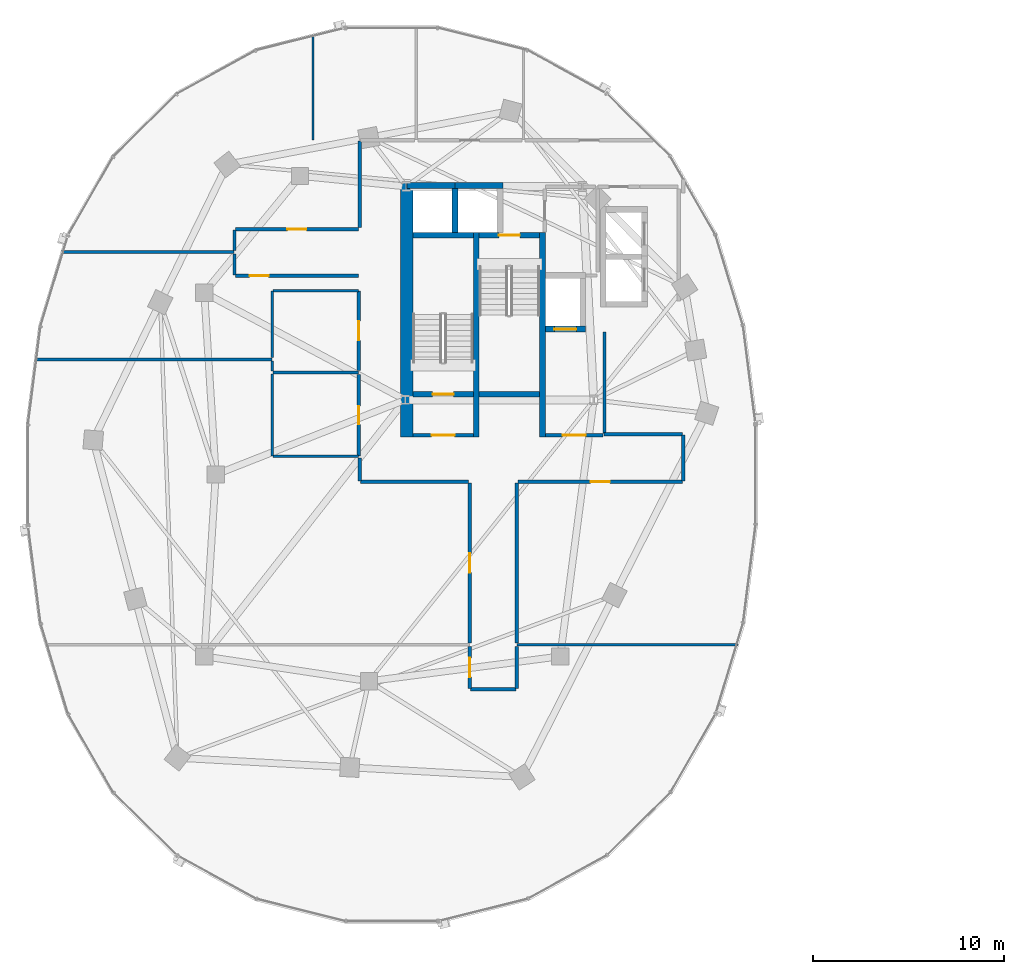
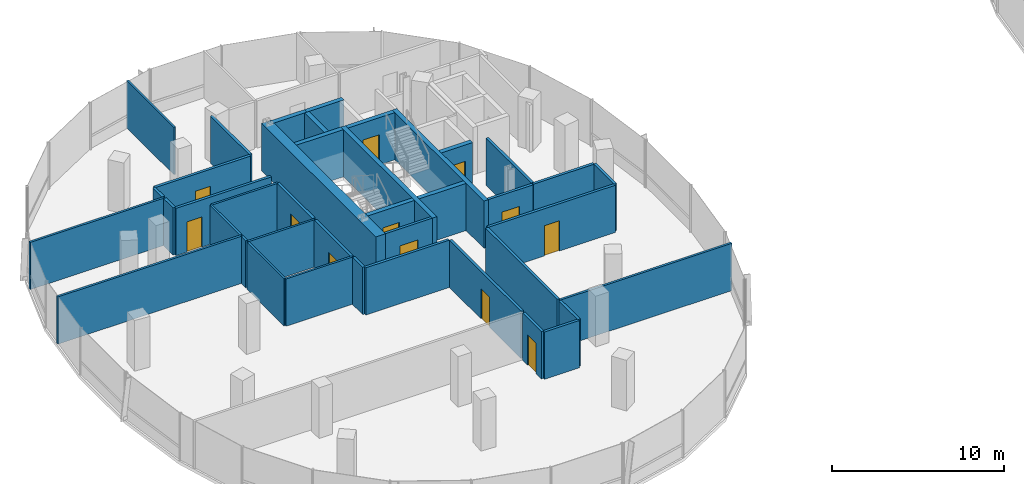
# One storey, part 12 of 22: 41 walls, 12 doors, 12 openings.
"""IFC4 building model written with IfcOpenShell, lengths in metres."""

from ifc_helpers import new_model, si_unit, direction, frame, frame_2d, origin, place, context, subcontext, project, spatial, rectangle, extrude, material, layer, layer_set, type_object, element, fill, save


model = new_model("IFC4")

# Units and contexts
model_context = context("Model", 3, precision=1e-05, world=origin(), true_north=direction((0.0, 1.0)))
body_context = subcontext(model_context, "Body", "Model", "MODEL_VIEW")
ifc_project = project(units=[si_unit("LENGTHUNIT", "METRE"), si_unit("AREAUNIT", "SQUARE_METRE"), si_unit("VOLUMEUNIT", "CUBIC_METRE"), si_unit("PLANEANGLEUNIT", "RADIAN"), si_unit("MASSUNIT", "GRAM", prefix="KILO"), si_unit("THERMODYNAMICTEMPERATUREUNIT", "KELVIN"), si_unit("POWERUNIT", "WATT")], contexts=[model_context])

# Site, building, storey
site_placement = place(None, origin())
site = spatial("IfcSite", under=ifc_project, at=site_placement, CompositionType="ELEMENT")
building_placement = place(site_placement, origin())
building = spatial("IfcBuilding", under=site, at=building_placement, Name="Cundina Bronze Exchange", CompositionType="ELEMENT")
storey_placement = place(building_placement, frame((0.0, 0.0, 158.39990234375)))
storey = spatial("IfcBuildingStorey", under=building, at=storey_placement, Name="L41", CompositionType="ELEMENT", Elevation=158.39990234375)

# Wall
ifc_material_1 = material(Name="Gypsum Fireboard Partition EI120")
ifc_layer_1 = layer(ifc_material_1, 0.179931640625, Name="Gypsum Fireboard Partition EI120")
ifc_layer_set_1 = layer_set([ifc_layer_1], Name="Gypsum Fireboard Partition EI120")
wall_type_1 = type_object("IfcWallType", Name="WL-COR-180", PredefinedType="PARTITIONING", material=ifc_layer_set_1)
wall_1_placement = place(storey_placement, frame((-20.889892578125, 2.14990234375, 0.0), z_axis=(0.0, 0.0, 1.0), x_axis=(0.0, 1.0, 0.0)))
element("IfcWall", 1, at=wall_1_placement, inside=storey, type_object=wall_type_1, Name="L41 W Firefighting Lobby Side Wall", PredefinedType="PARTITIONING", context=body_context, shape_type="SweptSolid", body=[
    extrude(rectangle(XDim=5.300048828125, YDim=0.179931640625, at=frame_2d((2.64990234375, 0.0))), origin(), (0.0, 0.0, 1.0), 3.360107421875),
])

# Wall, opening, door
wall_2_placement = place(storey_placement, frame((-23.97998046875, 2.06005859375, 0.0), z_axis=(0.0, 0.0, 1.0), x_axis=(1.0, 0.0, 0.0)))
wall_2 = element("IfcWall", 2, at=wall_2_placement, inside=storey, type_object=wall_type_1, Name="L41 W Firefighting Lobby Exit Wall", PredefinedType="PARTITIONING", context=body_context, shape_type="SweptSolid", body=[
    extrude(rectangle(XDim=3.0, YDim=0.179931640625, at=frame_2d((1.5, 0.0))), origin(), (0.0, 0.0, 1.0), 3.360107421875),
])
opening_1_placement = place(wall_2_placement, frame((0.89990234375, 0.0, 0.0)))
opening_1 = element("IfcOpeningElement", 3, at=opening_1_placement, cuts=wall_2, Name="Opening DF-01", PredefinedType="OPENING", context=body_context, shape_type="SweptSolid", body=[
    extrude(rectangle(XDim=1.199951171875, YDim=2.14990234375, at=frame_2d((0.60009765625, 1.074951171875))), frame((0.0, 0.099853515625, 0.0), z_axis=(0.0, -1.0, 0.0), x_axis=(1.0, 0.0, 0.0)), (0.0, 0.0, 1.0), 0.199951171875),
])
ifc_material_2 = material(Name="Steel ASTM A36 Painted", Category="steel")
door_type_1 = type_object("IfcDoorType", Name="DR-FFL-1200", OperationType="NOTDEFINED", PredefinedType="DOOR", material=ifc_material_2)
door_1_placement = place(opening_1_placement, origin())
door_1 = element("IfcDoor", 4, at=door_1_placement, inside=storey, type_object=door_type_1, Name="L41 W Firefighting Lobby Door", OperationType="SINGLE_SWING_RIGHT", OverallHeight=2.14990234375, OverallWidth=1.199951171875, PredefinedType="DOOR", context=body_context, shape_type="SweptSolid", body=[
    extrude(rectangle(XDim=1.199951171875, YDim=2.14990234375, at=frame_2d((0.60009765625, 1.074951171875))), frame((0.0, 0.02490234375, 0.0), z_axis=(0.0, -1.0, 0.0), x_axis=(1.0, 0.0, 0.0)), (0.0, 0.0, 1.0), 0.050048828125),
])
fill(opening_1, door_1)

wall_3_placement = place(storey_placement, frame((-30.89990234375, 2.06005859375, 0.0), z_axis=(0.0, 0.0, 1.0), x_axis=(1.0, 0.0, 0.0)))
wall_3 = element("IfcWall", 5, at=wall_3_placement, inside=storey, type_object=wall_type_1, Name="L41 W Stair Vestibule Exit Wall", PredefinedType="PARTITIONING", context=body_context, shape_type="SweptSolid", body=[
    extrude(rectangle(XDim=3.159912109375, YDim=0.179931640625, at=frame_2d((1.580078125, 0.0))), origin(), (0.0, 0.0, 1.0), 3.360107421875),
])
opening_2_placement = place(wall_3_placement, frame((0.97998046875, 0.0, 0.0)))
opening_2 = element("IfcOpeningElement", 6, at=opening_2_placement, cuts=wall_3, Name="Opening DF-01", PredefinedType="OPENING", context=body_context, shape_type="SweptSolid", body=[
    extrude(rectangle(XDim=1.199951171875, YDim=2.14990234375, at=frame_2d((0.60009765625, 1.074951171875))), frame((0.0, 0.099853515625, 0.0), z_axis=(0.0, -1.0, 0.0), x_axis=(1.0, 0.0, 0.0)), (0.0, 0.0, 1.0), 0.199951171875),
])
door_2_placement = place(opening_2_placement, origin())
door_2 = element("IfcDoor", 7, at=door_2_placement, inside=storey, type_object=door_type_1, Name="L41 W Stair Vestibule Door", OperationType="SINGLE_SWING_LEFT", OverallHeight=2.14990234375, OverallWidth=1.199951171875, PredefinedType="DOOR", context=body_context, shape_type="SweptSolid", body=[
    extrude(rectangle(XDim=1.199951171875, YDim=2.14990234375, at=frame_2d((0.60009765625, 1.074951171875))), frame((0.0, 0.02490234375, 0.0), z_axis=(0.0, -1.0, 0.0), x_axis=(1.0, 0.0, 0.0)), (0.0, 0.0, 1.0), 0.050048828125),
])
fill(opening_2, door_2)

wall_4_placement = place(storey_placement, frame((-33.719970703125, 0.969970703125, 0.0), z_axis=(0.0, 0.0, 1.0), x_axis=(0.0, 1.0, 0.0)))
wall_4 = element("IfcWall", 8, at=wall_4_placement, inside=storey, type_object=wall_type_1, Name="L41 Interior Partition 014", PredefinedType="PARTITIONING", context=body_context, shape_type="SweptSolid", body=[
    extrude(rectangle(XDim=4.260009765625, YDim=0.179931640625, at=frame_2d((2.1298828125, 0.0))), origin(), (0.0, 0.0, 1.0), 3.360107421875),
])
opening_3_placement = place(wall_4_placement, frame((1.655029296875, 0.0, 0.0)))
opening_3 = element("IfcOpeningElement", 9, at=opening_3_placement, cuts=wall_4, Name="Opening DW-01", PredefinedType="OPENING", context=body_context, shape_type="SweptSolid", body=[
    extrude(rectangle(XDim=0.949951171875, YDim=2.10009765625, at=frame_2d((0.47509765625, 1.050048828125))), frame((0.0, 0.099853515625, 0.0), z_axis=(0.0, -1.0, 0.0), x_axis=(1.0, 0.0, 0.0)), (0.0, 0.0, 1.0), 0.199951171875),
])
ifc_material_3 = material(Name="Solid Andean Oak Timber Grade A", Category="wood")
door_type_2 = type_object("IfcDoorType", Name="DR-WC-950", OperationType="NOTDEFINED", PredefinedType="DOOR", material=ifc_material_3)
door_3_placement = place(opening_3_placement, origin())
door_3 = element("IfcDoor", 10, at=door_3_placement, inside=storey, type_object=door_type_2, Name="L41 Interior Door 014", OperationType="SINGLE_SWING_RIGHT", OverallHeight=2.10009765625, OverallWidth=0.949951171875, PredefinedType="DOOR", context=body_context, shape_type="SweptSolid", body=[
    extrude(rectangle(XDim=0.949951171875, YDim=2.10009765625, at=frame_2d((0.47509765625, 1.050048828125))), frame((0.0, 0.02490234375, 0.0), z_axis=(0.0, -1.0, 0.0), x_axis=(1.0, 0.0, 0.0)), (0.0, 0.0, 1.0), 0.050048828125),
])
fill(opening_3, door_3)

wall_5_placement = place(storey_placement, frame((-33.719970703125, 5.429931640625, 0.0), z_axis=(0.0, 0.0, 1.0), x_axis=(0.0, 1.0, 0.0)))
wall_5 = element("IfcWall", 11, at=wall_5_placement, inside=storey, type_object=wall_type_1, Name="L41 Interior Partition 015", PredefinedType="PARTITIONING", context=body_context, shape_type="SweptSolid", body=[
    extrude(rectangle(XDim=4.16015625, YDim=0.179931640625, at=frame_2d((2.080078125, 0.0))), origin(), (0.0, 0.0, 1.0), 3.360107421875),
])
opening_4_placement = place(wall_5_placement, frame((1.580078125, 0.0, 0.0)))
opening_4 = element("IfcOpeningElement", 12, at=opening_4_placement, cuts=wall_5, Name="Opening DO-01", PredefinedType="OPENING", context=body_context, shape_type="SweptSolid", body=[
    extrude(rectangle(XDim=1.0, YDim=2.14990234375, at=frame_2d((0.5, 1.074951171875))), frame((0.0, 0.099853515625, 0.0), z_axis=(0.0, -1.0, 0.0), x_axis=(1.0, 0.0, 0.0)), (0.0, 0.0, 1.0), 0.199951171875),
])
door_type_3 = type_object("IfcDoorType", Name="DR-OFF-1000", OperationType="NOTDEFINED", PredefinedType="DOOR", material=ifc_material_3)
door_4_placement = place(opening_4_placement, origin())
door_4 = element("IfcDoor", 13, at=door_4_placement, inside=storey, type_object=door_type_3, Name="L41 Interior Door 015", OperationType="SINGLE_SWING_RIGHT", OverallHeight=2.14990234375, OverallWidth=1.0, PredefinedType="DOOR", context=body_context, shape_type="SweptSolid", body=[
    extrude(rectangle(XDim=1.0, YDim=2.14990234375, at=frame_2d((0.5, 1.074951171875))), frame((0.0, 0.02490234375, 0.0), z_axis=(0.0, -1.0, 0.0), x_axis=(1.0, 0.0, 0.0)), (0.0, 0.0, 1.0), 0.050048828125),
])
fill(opening_4, door_4)

# Wall
wall_6_placement = place(storey_placement, frame((-27.87841796875, -11.219970703125, 0.0), z_axis=(0.0, 0.0, 1.0), x_axis=(1.0, 0.0, 0.0)))
element("IfcWall", 14, at=wall_6_placement, inside=storey, type_object=wall_type_1, Name="L41 Interior Partition 023", PredefinedType="PARTITIONING", context=body_context, shape_type="SweptSolid", body=[
    extrude(rectangle(XDim=2.35693359375, YDim=0.179931640625, at=frame_2d((1.178466796875, 0.0))), origin(), (0.0, 0.0, 1.0), 3.360107421875),
])

# Wall, opening, door
wall_7_placement = place(storey_placement, frame((-27.919921875, -8.97998046875, 0.0), z_axis=(0.0, 0.0, 1.0), x_axis=(0.0, -1.0, 0.0)))
wall_7 = element("IfcWall", 15, at=wall_7_placement, inside=storey, type_object=wall_type_1, Name="L41 Interior Partition 024", PredefinedType="PARTITIONING", context=body_context, shape_type="SweptSolid", body=[
    extrude(rectangle(XDim=2.198486328125, YDim=0.179931640625, at=frame_2d((1.09912109375, 0.0))), origin(), (0.0, 0.0, 1.0), 3.360107421875),
])
opening_5_placement = place(wall_7_placement, frame((0.59912109375, 0.0, 0.0)))
opening_5 = element("IfcOpeningElement", 16, at=opening_5_placement, cuts=wall_7, Name="Opening DO-01", PredefinedType="OPENING", context=body_context, shape_type="SweptSolid", body=[
    extrude(rectangle(XDim=1.0, YDim=2.14990234375, at=frame_2d((0.5, 1.074951171875))), frame((0.0, 0.099853515625, 0.0), z_axis=(0.0, -1.0, 0.0), x_axis=(1.0, 0.0, 0.0)), (0.0, 0.0, 1.0), 0.199951171875),
])
door_5_placement = place(opening_5_placement, origin())
door_5 = element("IfcDoor", 17, at=door_5_placement, inside=storey, type_object=door_type_3, Name="L41 Interior Door 024", OperationType="SINGLE_SWING_LEFT", OverallHeight=2.14990234375, OverallWidth=1.0, PredefinedType="DOOR", context=body_context, shape_type="SweptSolid", body=[
    extrude(rectangle(XDim=1.0, YDim=2.14990234375, at=frame_2d((0.5, 1.074951171875))), frame((0.0, 0.02490234375, 0.0), z_axis=(0.0, -1.0, 0.0), x_axis=(1.0, 0.0, 0.0)), (0.0, 0.0, 1.0), 0.050048828125),
])
fill(opening_5, door_5)

# Wall
wall_8_placement = place(storey_placement, frame((-25.47998046875, -11.178466796875, 0.0), z_axis=(0.0, 0.0, 1.0), x_axis=(0.0, 1.0, 0.0)))
element("IfcWall", 18, at=wall_8_placement, inside=storey, type_object=wall_type_1, Name="L41 Interior Partition 025", PredefinedType="PARTITIONING", context=body_context, shape_type="SweptSolid", body=[
    extrude(rectangle(XDim=2.198486328125, YDim=0.179931640625, at=frame_2d((1.09912109375, 0.0))), origin(), (0.0, 0.0, 1.0), 3.360107421875),
])

# Wall, opening, door
wall_9_placement = place(storey_placement, frame((-27.919921875, -0.449951171875, 0.0), z_axis=(0.0, 0.0, 1.0), x_axis=(0.0, -1.0, 0.0)))
wall_9 = element("IfcWall", 19, at=wall_9_placement, inside=storey, type_object=wall_type_1, Name="L41 Interior Partition 026", PredefinedType="PARTITIONING", context=body_context, shape_type="SweptSolid", body=[
    extrude(rectangle(XDim=8.35009765625, YDim=0.179931640625, at=frame_2d((4.175048828125, 0.0))), origin(), (0.0, 0.0, 1.0), 3.360107421875),
])
opening_6_placement = place(wall_9_placement, frame((3.675048828125, 0.0, 0.0)))
opening_6 = element("IfcOpeningElement", 20, at=opening_6_placement, cuts=wall_9, Name="Opening DO-01", PredefinedType="OPENING", context=body_context, shape_type="SweptSolid", body=[
    extrude(rectangle(XDim=1.0, YDim=2.14990234375, at=frame_2d((0.5, 1.074951171875))), frame((0.0, 0.099853515625, 0.0), z_axis=(0.0, -1.0, 0.0), x_axis=(1.0, 0.0, 0.0)), (0.0, 0.0, 1.0), 0.199951171875),
])
door_6_placement = place(opening_6_placement, origin())
door_6 = element("IfcDoor", 21, at=door_6_placement, inside=storey, type_object=door_type_3, Name="L41 Interior Door 026", OperationType="SINGLE_SWING_LEFT", OverallHeight=2.14990234375, OverallWidth=1.0, PredefinedType="DOOR", context=body_context, shape_type="SweptSolid", body=[
    extrude(rectangle(XDim=1.0, YDim=2.14990234375, at=frame_2d((0.5, 1.074951171875))), frame((0.0, 0.02490234375, 0.0), z_axis=(0.0, -1.0, 0.0), x_axis=(1.0, 0.0, 0.0)), (0.0, 0.0, 1.0), 0.050048828125),
])
fill(opening_6, door_6)

# Walls
wall_10_placement = place(storey_placement, frame((-33.62841796875, -0.3701171875, 0.0), z_axis=(0.0, 0.0, 1.0), x_axis=(1.0, 0.0, 0.0)))
element("IfcWall", 22, at=wall_10_placement, inside=storey, type_object=wall_type_1, Name="L41 Interior Partition 027", PredefinedType="PARTITIONING", context=body_context, shape_type="SweptSolid", body=[
    extrude(rectangle(XDim=5.62841796875, YDim=0.179931640625, at=frame_2d((2.814208984375, 0.0))), origin(), (0.0, 0.0, 1.0), 3.360107421875),
])
wall_11_placement = place(storey_placement, frame((-33.669921875, 0.858642578125, 0.0), z_axis=(0.0, 0.0, 1.0), x_axis=(0.0, -1.0, 0.0)))
element("IfcWall", 23, at=wall_11_placement, inside=storey, type_object=wall_type_1, Name="L41 Interior Partition 028", PredefinedType="PARTITIONING", context=body_context, shape_type="SweptSolid", body=[
    extrude(rectangle(XDim=1.187255859375, YDim=0.179931640625, at=frame_2d((0.59375, 0.0))), origin(), (0.0, 0.0, 1.0), 3.360107421875),
])

# Wall, opening, door
wall_12_placement = place(storey_placement, frame((-25.39990234375, -0.3701171875, 0.0), z_axis=(0.0, 0.0, 1.0), x_axis=(1.0, 0.0, 0.0)))
wall_12 = element("IfcWall", 24, at=wall_12_placement, inside=storey, type_object=wall_type_1, Name="L41 Interior Partition 029", PredefinedType="PARTITIONING", context=body_context, shape_type="SweptSolid", body=[
    extrude(rectangle(XDim=8.578369140625, YDim=0.179931640625, at=frame_2d((4.2890625, 0.0))), origin(), (0.0, 0.0, 1.0), 3.360107421875),
])
opening_7_placement = place(wall_12_placement, frame((3.789306640625, 0.0, 0.0)))
opening_7 = element("IfcOpeningElement", 25, at=opening_7_placement, cuts=wall_12, Name="Opening DO-01", PredefinedType="OPENING", context=body_context, shape_type="SweptSolid", body=[
    extrude(rectangle(XDim=1.0, YDim=2.14990234375, at=frame_2d((0.5, 1.074951171875))), frame((0.0, 0.099853515625, 0.0), z_axis=(0.0, -1.0, 0.0), x_axis=(1.0, 0.0, 0.0)), (0.0, 0.0, 1.0), 0.199951171875),
])
door_7_placement = place(opening_7_placement, origin())
door_7 = element("IfcDoor", 26, at=door_7_placement, inside=storey, type_object=door_type_3, Name="L41 Interior Door 029", OperationType="SINGLE_SWING_LEFT", OverallHeight=2.14990234375, OverallWidth=1.0, PredefinedType="DOOR", context=body_context, shape_type="SweptSolid", body=[
    extrude(rectangle(XDim=1.0, YDim=2.14990234375, at=frame_2d((0.5, 1.074951171875))), frame((0.0, 0.02490234375, 0.0), z_axis=(0.0, -1.0, 0.0), x_axis=(1.0, 0.0, 0.0)), (0.0, 0.0, 1.0), 0.050048828125),
])
fill(opening_7, door_7)

# Walls
wall_13_placement = place(storey_placement, frame((-25.47998046875, -8.800048828125, 0.0), z_axis=(0.0, 0.0, 1.0), x_axis=(0.0, 1.0, 0.0)))
element("IfcWall", 27, at=wall_13_placement, inside=storey, type_object=wall_type_1, Name="L41 Interior Partition 030", PredefinedType="PARTITIONING", context=body_context, shape_type="SweptSolid", body=[
    extrude(rectangle(XDim=8.35009765625, YDim=0.179931640625, at=frame_2d((4.175048828125, 0.0))), origin(), (0.0, 0.0, 1.0), 3.360107421875),
])
wall_14_placement = place(storey_placement, frame((-16.821533203125, 2.10009765625, 0.0), z_axis=(0.0, 0.0, 1.0), x_axis=(-1.0, 0.0, 0.0)))
element("IfcWall", 28, at=wall_14_placement, inside=storey, type_object=wall_type_1, Name="L41 Interior Partition 031", PredefinedType="PARTITIONING", context=body_context, shape_type="SweptSolid", body=[
    extrude(rectangle(XDim=4.098388671875, YDim=0.179931640625, at=frame_2d((2.04931640625, 0.0))), origin(), (0.0, 0.0, 1.0), 3.360107421875),
])
wall_15_placement = place(storey_placement, frame((-16.780029296875, -0.32861328125, 0.0), z_axis=(0.0, 0.0, 1.0), x_axis=(0.0, 1.0, 0.0)))
element("IfcWall", 29, at=wall_15_placement, inside=storey, type_object=wall_type_1, Name="L41 Interior Partition 032", PredefinedType="PARTITIONING", context=body_context, shape_type="SweptSolid", body=[
    extrude(rectangle(XDim=2.38720703125, YDim=0.179931640625, at=frame_2d((1.193603515625, 0.0))), origin(), (0.0, 0.0, 1.0), 3.360107421875),
])

# Wall, opening, door
wall_16_placement = place(storey_placement, frame((-40.178466796875, 10.3798828125, 0.0), z_axis=(0.0, 0.0, 1.0), x_axis=(1.0, 0.0, 0.0)))
wall_16 = element("IfcWall", 30, at=wall_16_placement, inside=storey, type_object=wall_type_1, Name="L41 Interior Partition 034", PredefinedType="PARTITIONING", context=body_context, shape_type="SweptSolid", body=[
    extrude(rectangle(XDim=6.428466796875, YDim=0.179931640625, at=frame_2d((3.21435546875, 0.0))), origin(), (0.0, 0.0, 1.0), 3.360107421875),
])
opening_8_placement = place(wall_16_placement, frame((0.74267578125, 0.0, 0.0)))
opening_8 = element("IfcOpeningElement", 31, at=opening_8_placement, cuts=wall_16, Name="Opening DO-01", PredefinedType="OPENING", context=body_context, shape_type="SweptSolid", body=[
    extrude(rectangle(XDim=1.0, YDim=2.14990234375, at=frame_2d((0.5, 1.074951171875))), frame((0.0, 0.099853515625, 0.0), z_axis=(0.0, -1.0, 0.0), x_axis=(1.0, 0.0, 0.0)), (0.0, 0.0, 1.0), 0.199951171875),
])
door_8_placement = place(opening_8_placement, origin())
door_8 = element("IfcDoor", 32, at=door_8_placement, inside=storey, type_object=door_type_3, Name="L41 Interior Door 034", OperationType="SINGLE_SWING_RIGHT", OverallHeight=2.14990234375, OverallWidth=1.0, PredefinedType="DOOR", context=body_context, shape_type="SweptSolid", body=[
    extrude(rectangle(XDim=1.0, YDim=2.14990234375, at=frame_2d((0.5, 1.074951171875))), frame((0.0, 0.02490234375, 0.0), z_axis=(0.0, -1.0, 0.0), x_axis=(1.0, 0.0, 0.0)), (0.0, 0.0, 1.0), 0.050048828125),
])
fill(opening_8, door_8)

# Wall
wall_17_placement = place(storey_placement, frame((-40.219970703125, 11.530029296875, 0.0), z_axis=(0.0, 0.0, 1.0), x_axis=(0.0, -1.0, 0.0)))
element("IfcWall", 33, at=wall_17_placement, inside=storey, type_object=wall_type_1, Name="L41 Interior Partition 035", PredefinedType="PARTITIONING", context=body_context, shape_type="SweptSolid", body=[
    extrude(rectangle(XDim=1.108642578125, YDim=0.179931640625, at=frame_2d((0.55419921875, 0.0))), origin(), (0.0, 0.0, 1.0), 3.360107421875),
])

# Wall, opening, door
wall_18_placement = place(storey_placement, frame((-33.75, 12.820068359375, 0.0), z_axis=(0.0, 0.0, 1.0), x_axis=(-1.0, 0.0, 0.0)))
wall_18 = element("IfcWall", 34, at=wall_18_placement, inside=storey, type_object=wall_type_1, Name="L41 Interior Partition 036", PredefinedType="PARTITIONING", context=body_context, shape_type="SweptSolid", body=[
    extrude(rectangle(XDim=6.428466796875, YDim=0.179931640625, at=frame_2d((3.21435546875, 0.0))), origin(), (0.0, 0.0, 1.0), 3.360107421875),
])
opening_9_placement = place(wall_18_placement, frame((2.714111328125, 0.0, 0.0)))
opening_9 = element("IfcOpeningElement", 35, at=opening_9_placement, cuts=wall_18, Name="Opening DO-01", PredefinedType="OPENING", context=body_context, shape_type="SweptSolid", body=[
    extrude(rectangle(XDim=1.0, YDim=2.14990234375, at=frame_2d((0.5, 1.074951171875))), frame((0.0, 0.099853515625, 0.0), z_axis=(0.0, -1.0, 0.0), x_axis=(1.0, 0.0, 0.0)), (0.0, 0.0, 1.0), 0.199951171875),
])
door_9_placement = place(opening_9_placement, origin())
door_9 = element("IfcDoor", 36, at=door_9_placement, inside=storey, type_object=door_type_3, Name="L41 Interior Door 036", OperationType="SINGLE_SWING_LEFT", OverallHeight=2.14990234375, OverallWidth=1.0, PredefinedType="DOOR", context=body_context, shape_type="SweptSolid", body=[
    extrude(rectangle(XDim=1.0, YDim=2.14990234375, at=frame_2d((0.5, 1.074951171875))), frame((0.0, 0.02490234375, 0.0), z_axis=(0.0, -1.0, 0.0), x_axis=(1.0, 0.0, 0.0)), (0.0, 0.0, 1.0), 0.050048828125),
])
fill(opening_9, door_9)

# Walls
wall_19_placement = place(storey_placement, frame((-33.669921875, 17.428466796875, 0.0), z_axis=(0.0, 0.0, 1.0), x_axis=(0.0, -1.0, 0.0)))
element("IfcWall", 37, at=wall_19_placement, inside=storey, type_object=wall_type_1, Name="L41 Interior Partition 037", PredefinedType="PARTITIONING", context=body_context, shape_type="SweptSolid", body=[
    extrude(rectangle(XDim=4.528564453125, YDim=0.179931640625, at=frame_2d((2.26416015625, 0.0))), origin(), (0.0, 0.0, 1.0), 3.360107421875),
])
wall_20_placement = place(storey_placement, frame((-40.219970703125, 12.778564453125, 0.0), z_axis=(0.0, 0.0, 1.0), x_axis=(0.0, -1.0, 0.0)))
element("IfcWall", 38, at=wall_20_placement, inside=storey, type_object=wall_type_1, Name="L41 Interior Partition 039", PredefinedType="PARTITIONING", context=body_context, shape_type="SweptSolid", body=[
    extrude(rectangle(XDim=1.068603515625, YDim=0.179931640625, at=frame_2d((0.5341796875, 0.0))), origin(), (0.0, 0.0, 1.0), 3.360107421875),
])
ifc_material_4 = material(Name="Concrete C50/60", Category="concrete")
ifc_layer_2 = layer(ifc_material_4, 0.64990234375, Name="Concrete C50/60", Category="concrete")
ifc_layer_set_2 = layer_set([ifc_layer_2], Name="Concrete C50/60")
wall_type_2 = type_object("IfcWallType", Name="WL-CORE-650", PredefinedType="SHEAR", material=ifc_layer_set_2)
wall_21_placement = place(storey_placement, frame((-31.22509765625, 1.969970703125, 0.0), z_axis=(0.0, 0.0, 1.0), x_axis=(0.0, 1.0, 0.0)))
element("IfcWall", 39, at=wall_21_placement, inside=storey, type_object=wall_type_2, Name="L41 W Primary Core Shear Spine Wall", PredefinedType="SHEAR", context=body_context, shape_type="SweptSolid", body=[
    extrude(rectangle(XDim=13.330078125, YDim=0.64990234375, at=frame_2d((6.6650390625, 0.0))), origin(), (0.0, 0.0, 1.0), 3.360107421875),
])
ifc_material_5 = material(Name="Gypsum Acoustic Partition EI60")
ifc_layer_3 = layer(ifc_material_5, 0.125, Name="Gypsum Acoustic Partition EI60")
ifc_layer_set_3 = layer_set([ifc_layer_3], Name="Gypsum Acoustic Partition EI60")
wall_type_3 = type_object("IfcWallType", Name="WL-OFF-125", PredefinedType="PARTITIONING", material=ifc_layer_set_3)
wall_22_placement = place(storey_placement, frame((-36.1201171875, 17.469970703125, 0.0), z_axis=(0.0, 0.0, 1.0), x_axis=(0.0, 1.0, 0.0)))
element("IfcWall", 40, at=wall_22_placement, inside=storey, type_object=wall_type_3, Name="L41 Interior Partition 020", PredefinedType="PARTITIONING", context=body_context, shape_type="SweptSolid", body=[
    extrude(rectangle(XDim=5.511474609375, YDim=0.125, at=frame_2d((2.755859375, 0.0))), origin(), (0.0, 0.0, 1.0), 3.360107421875),
])
ifc_layer_4 = layer(ifc_material_4, 0.300048828125, Name="Concrete C50/60", Category="concrete")
ifc_layer_set_4 = layer_set([ifc_layer_4], Name="Concrete C50/60")
wall_type_4 = type_object("IfcWallType", Name="WL-SHFT-300", PredefinedType="SHEAR", material=ifc_layer_set_4)
for number, where, z_axis, x_axis, name in (
    (41, (-27.590087890625, 1.969970703125, 0.0), (0.0, 0.0, 1.0), (0.0, 1.0, 0.0), "L41 W Stair Shaft Dividing Shear Wall"),
    (42, (-24.1298828125, 1.969970703125, 0.0), (0.0, 0.0, 1.0), (0.0, 1.0, 0.0), "L41 W Stair 2 East Shear Wall"),
):
    element("IfcWall", number, at=place(storey_placement, frame(where, z_axis=z_axis, x_axis=x_axis)), inside=storey, type_object=wall_type_4, Name=name, PredefinedType="SHEAR", context=body_context, shape_type="SweptSolid", body=[
        extrude(rectangle(XDim=10.679931640625, YDim=0.300048828125, at=frame_2d((5.33984375, 0.0))), origin(), (0.0, 0.0, 1.0), 3.360107421875),
    ])

# Wall, opening, door
wall_23_placement = place(storey_placement, frame((-30.89990234375, 4.199951171875, 0.0), z_axis=(0.0, 0.0, 1.0), x_axis=(1.0, 0.0, 0.0)))
wall_23 = element("IfcWall", 43, at=wall_23_placement, inside=storey, type_object=wall_type_4, Name="L41 Stair W1 Landing Wall", PredefinedType="SHEAR", context=body_context, shape_type="SweptSolid", body=[
    extrude(rectangle(XDim=3.159912109375, YDim=0.300048828125, at=frame_2d((1.580078125, 0.0))), origin(), (0.0, 0.0, 1.0), 3.360107421875),
])
opening_10_placement = place(wall_23_placement, frame((1.030029296875, 0.0, 0.0)))
opening_10 = element("IfcOpeningElement", 44, at=opening_10_placement, cuts=wall_23, Name="Opening DS-01", PredefinedType="OPENING", context=body_context, shape_type="SweptSolid", body=[
    extrude(rectangle(XDim=1.10009765625, YDim=2.14990234375, at=frame_2d((0.550048828125, 1.074951171875))), frame((0.0, 0.159912109375, 0.0), z_axis=(0.0, -1.0, 0.0), x_axis=(1.0, 0.0, 0.0)), (0.0, 0.0, 1.0), 0.320068359375),
])
door_type_4 = type_object("IfcDoorType", Name="DR-STR-1100", OperationType="NOTDEFINED", PredefinedType="DOOR", material=ifc_material_2)
door_10_placement = place(opening_10_placement, origin())
door_10 = element("IfcDoor", 45, at=door_10_placement, inside=storey, type_object=door_type_4, Name="L41 Smokeproof Stair W1 Door", OperationType="SINGLE_SWING_RIGHT", OverallHeight=2.14990234375, OverallWidth=1.10009765625, PredefinedType="DOOR", context=body_context, shape_type="SweptSolid", body=[
    extrude(rectangle(XDim=1.10009765625, YDim=2.14990234375, at=frame_2d((0.550048828125, 1.074951171875))), frame((0.0, 0.02490234375, 0.0), z_axis=(0.0, -1.0, 0.0), x_axis=(1.0, 0.0, 0.0)), (0.0, 0.0, 1.0), 0.050048828125),
])
fill(opening_10, door_10)

# Wall
wall_24_placement = place(storey_placement, frame((-30.89990234375, 12.5, 0.0), z_axis=(0.0, 0.0, 1.0), x_axis=(1.0, 0.0, 0.0)))
element("IfcWall", 46, at=wall_24_placement, inside=storey, type_object=wall_type_4, Name="L41 Stair W1 Far Shaft Wall", PredefinedType="SHEAR", context=body_context, shape_type="SweptSolid", body=[
    extrude(rectangle(XDim=3.159912109375, YDim=0.300048828125, at=frame_2d((1.580078125, 0.0))), origin(), (0.0, 0.0, 1.0), 3.360107421875),
])

# Wall, opening, door
wall_25_placement = place(storey_placement, frame((-27.43994140625, 12.5, 0.0), z_axis=(0.0, 0.0, 1.0), x_axis=(1.0, 0.0, 0.0)))
wall_25 = element("IfcWall", 47, at=wall_25_placement, inside=storey, type_object=wall_type_4, Name="L41 Stair W2 Landing Wall", PredefinedType="SHEAR", context=body_context, shape_type="SweptSolid", body=[
    extrude(rectangle(XDim=3.159912109375, YDim=0.300048828125, at=frame_2d((1.580078125, 0.0))), origin(), (0.0, 0.0, 1.0), 3.360107421875),
])
opening_11_placement = place(wall_25_placement, frame((1.030029296875, 0.0, 0.0)))
opening_11 = element("IfcOpeningElement", 48, at=opening_11_placement, cuts=wall_25, Name="Opening DS-01", PredefinedType="OPENING", context=body_context, shape_type="SweptSolid", body=[
    extrude(rectangle(XDim=1.10009765625, YDim=2.14990234375, at=frame_2d((0.550048828125, 1.074951171875))), frame((0.0, 0.159912109375, 0.0), z_axis=(0.0, -1.0, 0.0), x_axis=(1.0, 0.0, 0.0)), (0.0, 0.0, 1.0), 0.320068359375),
])
door_11_placement = place(opening_11_placement, origin())
door_11 = element("IfcDoor", 49, at=door_11_placement, inside=storey, type_object=door_type_4, Name="L41 Smokeproof Stair W2 Door", OperationType="SINGLE_SWING_LEFT", OverallHeight=2.14990234375, OverallWidth=1.10009765625, PredefinedType="DOOR", context=body_context, shape_type="SweptSolid", body=[
    extrude(rectangle(XDim=1.10009765625, YDim=2.14990234375, at=frame_2d((0.550048828125, 1.074951171875))), frame((0.0, 0.02490234375, 0.0), z_axis=(0.0, -1.0, 0.0), x_axis=(1.0, 0.0, 0.0)), (0.0, 0.0, 1.0), 0.050048828125),
])
fill(opening_11, door_11)

# Wall
wall_26_placement = place(storey_placement, frame((-27.43994140625, 4.199951171875, 0.0), z_axis=(0.0, 0.0, 1.0), x_axis=(1.0, 0.0, 0.0)))
element("IfcWall", 50, at=wall_26_placement, inside=storey, type_object=wall_type_4, Name="L41 Stair W2 Far Shaft Wall", PredefinedType="SHEAR", context=body_context, shape_type="SweptSolid", body=[
    extrude(rectangle(XDim=3.159912109375, YDim=0.300048828125, at=frame_2d((1.580078125, 0.0))), origin(), (0.0, 0.0, 1.0), 3.360107421875),
])

# Wall, opening, door
wall_27_placement = place(storey_placement, frame((-23.97998046875, 7.60009765625, 0.0), z_axis=(0.0, 0.0, 1.0), x_axis=(1.0, 0.0, 0.0)))
wall_27 = element("IfcWall", 51, at=wall_27_placement, inside=storey, type_object=wall_type_4, Name="L41 FFL-W Hoistway Front Wall", PredefinedType="SHEAR", context=body_context, shape_type="SweptSolid", body=[
    extrude(rectangle(XDim=2.10009765625, YDim=0.300048828125, at=frame_2d((1.050048828125, 0.0))), origin(), (0.0, 0.0, 1.0), 3.360107421875),
])
opening_12_placement = place(wall_27_placement, frame((0.47509765625, 0.0, 0.0)))
opening_12 = element("IfcOpeningElement", 52, at=opening_12_placement, cuts=wall_27, Name="Opening LD-01", PredefinedType="OPENING", context=body_context, shape_type="SweptSolid", body=[
    extrude(rectangle(XDim=1.14990234375, YDim=2.199951171875, at=frame_2d((0.574951171875, 1.10009765625))), frame((0.0, 0.159912109375, 0.0), z_axis=(0.0, -1.0, 0.0), x_axis=(1.0, 0.0, 0.0)), (0.0, 0.0, 1.0), 0.320068359375),
])
door_type_5 = type_object("IfcDoorType", Name="DR-LND-1150", OperationType="NOTDEFINED", PredefinedType="TRAPDOOR", material=ifc_material_2)
door_12_placement = place(opening_12_placement, origin())
door_12 = element("IfcDoor", 53, at=door_12_placement, inside=storey, type_object=door_type_5, Name="L41 FFL-W Sliding Landing Door", OperationType="SLIDING_TO_LEFT", OverallHeight=2.199951171875, OverallWidth=1.14990234375, PredefinedType="TRAPDOOR", context=body_context, shape_type="SweptSolid", body=[
    extrude(rectangle(XDim=1.14990234375, YDim=2.199951171875, at=frame_2d((0.574951171875, 1.10009765625))), frame((0.0, 0.02490234375, 0.0), z_axis=(0.0, -1.0, 0.0), x_axis=(1.0, 0.0, 0.0)), (0.0, 0.0, 1.0), 0.050048828125),
])
fill(opening_12, door_12)

# Walls
wall_28_placement = place(storey_placement, frame((-31.199951171875, 15.10009765625, 0.0), z_axis=(0.0, 0.0, 1.0), x_axis=(1.0, 0.0, 0.0)))
element("IfcWall", 54, at=wall_28_placement, inside=storey, type_object=wall_type_4, Name="L41 PH-W1 Hoistway Front Wall", PredefinedType="SHEAR", context=body_context, shape_type="SweptSolid", body=[
    extrude(rectangle(XDim=2.5, YDim=0.300048828125, at=frame_2d((1.25, 0.0))), origin(), (0.0, 0.0, 1.0), 3.360107421875),
])
wall_29_placement = place(storey_placement, frame((-28.699951171875, 12.64990234375, 0.0), z_axis=(0.0, 0.0, 1.0), x_axis=(0.0, 1.0, 0.0)))
element("IfcWall", 55, at=wall_29_placement, inside=storey, type_object=wall_type_4, Name="L41 PH-W1 Hoistway Divider Wall", PredefinedType="SHEAR", context=body_context, shape_type="SweptSolid", body=[
    extrude(rectangle(XDim=2.300048828125, YDim=0.300048828125, at=frame_2d((1.14990234375, 0.0))), origin(), (0.0, 0.0, 1.0), 3.360107421875),
])
wall_30_placement = place(storey_placement, frame((-28.699951171875, 15.10009765625, 0.0), z_axis=(0.0, 0.0, 1.0), x_axis=(1.0, 0.0, 0.0)))
element("IfcWall", 56, at=wall_30_placement, inside=storey, type_object=wall_type_4, Name="L41 PH-W2 Hoistway Front Wall", PredefinedType="SHEAR", context=body_context, shape_type="SweptSolid", body=[
    extrude(rectangle(XDim=2.5, YDim=0.300048828125, at=frame_2d((1.25, 0.0))), origin(), (0.0, 0.0, 1.0), 3.360107421875),
])
ifc_layer_5 = layer(ifc_material_5, 0.14990234375, Name="Gypsum Acoustic Partition EI60")
ifc_layer_set_5 = layer_set([ifc_layer_5], Name="Gypsum Acoustic Partition EI60")
wall_type_5 = type_object("IfcWallType", Name="WL-TEN-150", PredefinedType="PARTITIONING", material=ifc_layer_set_5)
wall_31_placement = place(storey_placement, frame((-25.449951171875, -8.889892578125, 0.0), z_axis=(0.0, 0.0, 1.0), x_axis=(1.0, 0.0, 0.0)))
element("IfcWall", 57, at=wall_31_placement, inside=storey, type_object=wall_type_5, Name="L41 Interior Partition 017", PredefinedType="PARTITIONING", context=body_context, shape_type="SweptSolid", body=[
    extrude(rectangle(XDim=11.53173828125, YDim=0.14990234375, at=frame_2d((5.765869140625, 0.0))), origin(), (0.0, 0.0, 1.0), 3.360107421875),
])
wall_32_placement = place(storey_placement, frame((-50.64111328125, 6.02001953125, 0.0), z_axis=(0.0, 0.0, 1.0), x_axis=(1.0, 0.0, 0.0)))
element("IfcWall", 58, at=wall_32_placement, inside=storey, type_object=wall_type_5, Name="L41 Interior Partition 018", PredefinedType="PARTITIONING", context=body_context, shape_type="SweptSolid", body=[
    extrude(rectangle(XDim=12.37109375, YDim=0.14990234375, at=frame_2d((6.185546875, 0.0))), origin(), (0.0, 0.0, 1.0), 3.360107421875),
])
wall_33_placement = place(storey_placement, frame((-49.25439453125, 11.6201171875, 0.0), z_axis=(0.0, 0.0, 1.0), x_axis=(1.0, 0.0, 0.0)))
element("IfcWall", 59, at=wall_33_placement, inside=storey, type_object=wall_type_5, Name="L41 Interior Partition 019", PredefinedType="PARTITIONING", context=body_context, shape_type="SweptSolid", body=[
    extrude(rectangle(XDim=9.00439453125, YDim=0.14990234375, at=frame_2d((4.502197265625, 0.0))), origin(), (0.0, 0.0, 1.0), 3.360107421875),
])
ifc_material_6 = material(Name="Moisture-Resistant Masonry Block Grade M15", Category="masonry")
ifc_layer_6 = layer(ifc_material_6, 0.139892578125, Name="Moisture-Resistant Masonry Block Grade M15", Category="masonry")
ifc_layer_set_6 = layer_set([ifc_layer_6], Name="Moisture-Resistant Masonry Block Grade M15")
wall_type_6 = type_object("IfcWallType", Name="WL-WET-140", PredefinedType="PARTITIONING", material=ifc_layer_set_6)
wall_34_placement = place(storey_placement, frame((-38.239990234375, 0.969970703125, 0.0), z_axis=(0.0, 0.0, 1.0), x_axis=(0.0, 1.0, 0.0)))
element("IfcWall", 60, at=wall_34_placement, inside=storey, type_object=wall_type_6, Name="L41 Interior Partition 008", PredefinedType="PARTITIONING", context=body_context, shape_type="SweptSolid", body=[
    extrude(rectangle(XDim=4.275146484375, YDim=0.139892578125, at=frame_2d((2.1376953125, 0.0))), origin(), (0.0, 0.0, 1.0), 3.360107421875),
])
wall_35_placement = place(storey_placement, frame((-38.239990234375, 5.4150390625, 0.0), z_axis=(0.0, 0.0, 1.0), x_axis=(0.0, 1.0, 0.0)))
element("IfcWall", 61, at=wall_35_placement, inside=storey, type_object=wall_type_6, Name="L41 Interior Partition 009", PredefinedType="PARTITIONING", context=body_context, shape_type="SweptSolid", body=[
    extrude(rectangle(XDim=0.52001953125, YDim=0.139892578125, at=frame_2d((0.260009765625, 0.0))), origin(), (0.0, 0.0, 1.0), 3.360107421875),
])
wall_36_placement = place(storey_placement, frame((-38.239990234375, 6.10498046875, 0.0), z_axis=(0.0, 0.0, 1.0), x_axis=(0.0, 1.0, 0.0)))
element("IfcWall", 62, at=wall_36_placement, inside=storey, type_object=wall_type_6, Name="L41 Interior Partition 010", PredefinedType="PARTITIONING", context=body_context, shape_type="SweptSolid", body=[
    extrude(rectangle(XDim=3.485107421875, YDim=0.139892578125, at=frame_2d((1.74267578125, 0.0))), origin(), (0.0, 0.0, 1.0), 3.360107421875),
])
for number, where, z_axis, x_axis, name in (
    (63, (-38.219970703125, 0.949951171875, 0.0), (0.0, 0.0, 1.0), (1.0, 0.0, 0.0), "L41 Interior Partition 011"),
    (64, (-38.219970703125, 5.330078125, 0.0), (0.0, 0.0, 1.0), (1.0, 0.0, 0.0), "L41 Interior Partition 012"),
    (65, (-38.219970703125, 9.610107421875, 0.0), (0.0, 0.0, 1.0), (1.0, 0.0, 0.0), "L41 Interior Partition 013"),
):
    element("IfcWall", number, at=place(storey_placement, frame(where, z_axis=z_axis, x_axis=x_axis)), inside=storey, type_object=wall_type_6, Name=name, PredefinedType="PARTITIONING", context=body_context, shape_type="SweptSolid", body=[
        extrude(rectangle(XDim=4.47998046875, YDim=0.139892578125, at=frame_2d((2.239990234375, 0.0))), origin(), (0.0, 0.0, 1.0), 3.360107421875),
    ])

save(model, "model.ifc")
